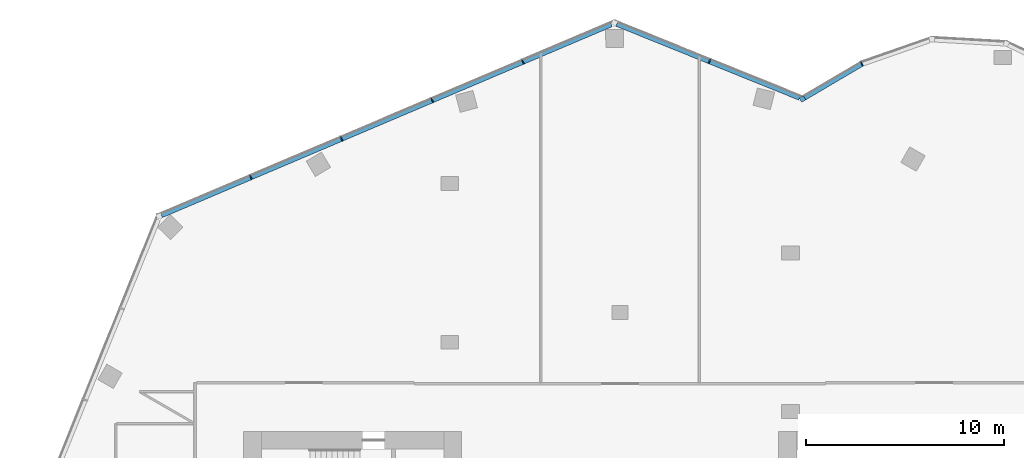
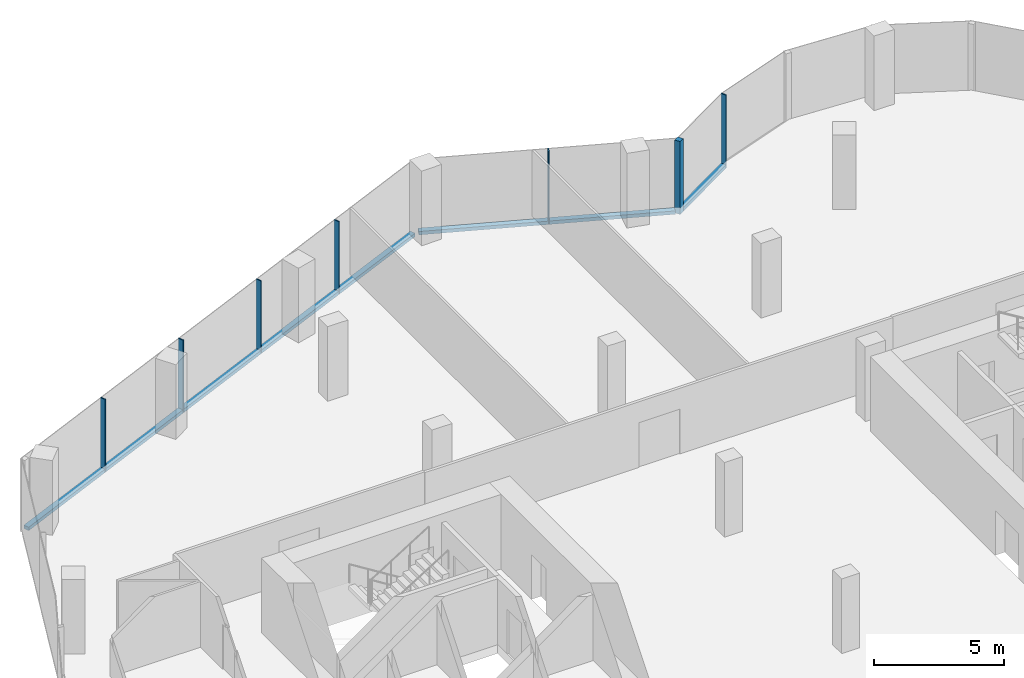
# One storey, part 8 of 16: 10 members, 4 elements without a shape of their own.
"""IFC4 building model written with IfcOpenShell, lengths in metres."""

from ifc_helpers import new_model, si_unit, direction, frame, origin, origin_2d, place, context, subcontext, project, spatial, rectangle, extrude, material, material_profile, profile_set, type_object, element, aggregate, save


model = new_model("IFC4")

# Units and contexts
model_context = context("Model", 3, precision=1e-05, world=origin(), true_north=direction((0.0, 1.0)))
body_context = subcontext(model_context, "Body", "Model", "MODEL_VIEW")
ifc_project = project(units=[si_unit("LENGTHUNIT", "METRE"), si_unit("AREAUNIT", "SQUARE_METRE"), si_unit("VOLUMEUNIT", "CUBIC_METRE"), si_unit("PLANEANGLEUNIT", "RADIAN"), si_unit("MASSUNIT", "GRAM", prefix="KILO")], contexts=[model_context])

# Site, building, storey
site_placement = place(None, origin())
site = spatial("IfcSite", under=ifc_project, at=site_placement, CompositionType="ELEMENT")
building_placement = place(site_placement, origin())
building = spatial("IfcBuilding", under=site, at=building_placement, Name="Orlundy Tower", CompositionType="ELEMENT")
storey_placement = place(building_placement, frame((0.0, 0.0, 292.89990234375)))
storey = spatial("IfcBuildingStorey", under=building, at=storey_placement, Name="L78", CompositionType="ELEMENT", Elevation=292.89990234375)

# Curtain wall, member
ifc_material_1 = material(Name="Aluminium bronze anodised", Category="aluminium")
curtain_wall_type = type_object("IfcCurtainWallType", Name="CW6 wall", PredefinedType="NOTDEFINED", material=ifc_material_1)
curtain_wall_1_placement = place(storey_placement, origin())
curtain_wall_1 = element("IfcCurtainWall", 1, at=curtain_wall_1_placement, inside=storey, type_object=curtain_wall_type, Name="CW6 run 018", PredefinedType="NOTDEFINED")
ifc_material_2 = material(Name="Aluminium bronze anodised", Category="aluminium")
ifc_material_profile_1 = material_profile(ifc_material_2, rectangle(XDim=0.239990234375, YDim=0.239990234375, at=origin_2d()), Name="CW6 corner post 240x240")
ifc_profile_set_1 = profile_set([ifc_material_profile_1], Name="Aluminium bronze anodised")
member_type_1 = type_object("IfcMemberType", Name="CW6 corner post 240x240", PredefinedType="MULLION", material=ifc_profile_set_1)
member_1_placement = place(storey_placement, frame((9.197998046875, 28.76953125, -0.31982421875), z_axis=(0.0, 0.0, 1.0), x_axis=(-0.507527218917, 0.861635724688, 0.0)))
member_1 = element("IfcMember", 2, at=member_1_placement, type_object=member_type_1, Name="CW6 mullion 37", PredefinedType="MULLION", context=body_context, shape_type="SweptSolid", body=[
    extrude(rectangle(XDim=0.239990234375, YDim=0.239990234375, at=origin_2d()), origin(), (0.0, 0.0, 1.0), 3.419921875),
])

# Curtain wall, members
curtain_wall_2_placement = place(storey_placement, origin())
curtain_wall_2 = element("IfcCurtainWall", 3, at=curtain_wall_2_placement, inside=storey, type_object=curtain_wall_type, Name="CW6 run 016", PredefinedType="NOTDEFINED")
ifc_material_3 = material(Name="Aluminium bronze anodised", Category="aluminium")
ifc_material_profile_2 = material_profile(ifc_material_3, rectangle(XDim=0.239990234375, YDim=0.050048828125, at=origin_2d()), Name="CW6 mullion 50x240")
ifc_profile_set_2 = profile_set([ifc_material_profile_2], Name="Aluminium bronze anodised")
member_type_2 = type_object("IfcMemberType", Name="CW6 mullion 50x240", PredefinedType="MULLION", material=ifc_profile_set_2)
member_2_placement = place(storey_placement, frame((-18.63232421875, 24.812744140625, -0.31982421875), z_axis=(0.0, 0.0, 1.0), x_axis=(-0.390726531244, 0.920506804854, 0.0)))
member_2 = element("IfcMember", 4, at=member_2_placement, type_object=member_type_2, Name="CW6 mullion 31", PredefinedType="MULLION", context=body_context, shape_type="SweptSolid", body=[
    extrude(rectangle(XDim=0.239990234375, YDim=0.050048828125, at=origin_2d()), origin(), (0.0, 0.0, 1.0), 3.419921875),
])
member_3_placement = place(storey_placement, frame((-14.056640625, 26.7548828125, -0.31982421875), z_axis=(0.0, 0.0, 1.0), x_axis=(-0.390726531244, 0.920506804854, 0.0)))
member_3 = element("IfcMember", 5, at=member_3_placement, type_object=member_type_2, Name="CW6 mullion 32", PredefinedType="MULLION", context=body_context, shape_type="SweptSolid", body=[
    extrude(rectangle(XDim=0.239990234375, YDim=0.050048828125, at=origin_2d()), origin(), (0.0, 0.0, 1.0), 3.419921875),
])
member_4_placement = place(storey_placement, frame((-9.481201171875, 28.697021484375, -0.31982421875), z_axis=(0.0, 0.0, 1.0), x_axis=(-0.390726531244, 0.920506804854, 0.0)))
member_4 = element("IfcMember", 6, at=member_4_placement, type_object=member_type_2, Name="CW6 mullion 33", PredefinedType="MULLION", context=body_context, shape_type="SweptSolid", body=[
    extrude(rectangle(XDim=0.239990234375, YDim=0.050048828125, at=origin_2d()), origin(), (0.0, 0.0, 1.0), 3.419921875),
])
member_5_placement = place(storey_placement, frame((-4.905517578125, 30.63916015625, -0.31982421875), z_axis=(0.0, 0.0, 1.0), x_axis=(-0.390726531244, 0.920506804854, 0.0)))
member_5 = element("IfcMember", 7, at=member_5_placement, type_object=member_type_2, Name="CW6 mullion 34", PredefinedType="MULLION", context=body_context, shape_type="SweptSolid", body=[
    extrude(rectangle(XDim=0.239990234375, YDim=0.050048828125, at=origin_2d()), origin(), (0.0, 0.0, 1.0), 3.419921875),
])

# Curtain wall, member
curtain_wall_3_placement = place(storey_placement, origin())
curtain_wall_3 = element("IfcCurtainWall", 8, at=curtain_wall_3_placement, inside=storey, type_object=curtain_wall_type, Name="CW6 run 017", PredefinedType="NOTDEFINED")
member_6_placement = place(storey_placement, frame((4.507568359375, 30.664794921875, -0.31982421875), z_axis=(0.0, 0.0, 1.0), x_axis=(0.374639101319, 0.927170719858, 0.0)))
member_6 = element("IfcMember", 9, at=member_6_placement, type_object=member_type_2, Name="CW6 mullion 36", PredefinedType="MULLION", context=body_context, shape_type="SweptSolid", body=[
    extrude(rectangle(XDim=0.239990234375, YDim=0.050048828125, at=origin_2d()), origin(), (0.0, 0.0, 1.0), 3.419921875),
])

curtain_wall_4_placement = place(storey_placement, origin())
curtain_wall_4 = element("IfcCurtainWall", 10, at=curtain_wall_4_placement, inside=storey, type_object=curtain_wall_type, Name="CW6 run 019", PredefinedType="NOTDEFINED")
member_7_placement = place(storey_placement, frame((12.201171875, 30.538330078125, -0.31982421875), z_axis=(0.0, 0.0, 1.0), x_axis=(-0.420645052981, 0.907225296937, 0.0)))
member_7 = element("IfcMember", 11, at=member_7_placement, type_object=member_type_2, Name="CW6 mullion 38", PredefinedType="MULLION", context=body_context, shape_type="SweptSolid", body=[
    extrude(rectangle(XDim=0.239990234375, YDim=0.050048828125, at=origin_2d()), origin(), (0.0, 0.0, 1.0), 3.419921875),
])
aggregate(curtain_wall_4, [member_7])

# Member
ifc_material_4 = material(Name="Aluminium bronze anodised", Category="aluminium")
ifc_material_profile_3 = material_profile(ifc_material_4, rectangle(XDim=0.239990234375, YDim=0.159912109375, at=origin_2d()), Name="CW6 transom 240x160")
ifc_profile_set_3 = profile_set([ifc_material_profile_3], Name="Aluminium bronze anodised")
member_type_3 = type_object("IfcMemberType", Name="CW6 transom 240x160", PredefinedType="USERDEFINED", material=ifc_profile_set_3)
member_8_placement = place(storey_placement, frame((-23.14306640625, 22.89794921875, -0.239990234375), z_axis=(0.920504544268, 0.390731856881, 0.0), x_axis=(-0.390731856881, 0.920504544268, 0.0)))
member_8 = element("IfcMember", 12, at=member_8_placement, type_object=member_type_3, Name="CW6 transom", ObjectType="TRANSOM", PredefinedType="USERDEFINED", context=body_context, shape_type="SweptSolid", body=[
    extrude(rectangle(XDim=0.239990234375, YDim=0.159912109375, at=origin_2d()), origin(), (0.0, 0.0, 1.0), 24.663330078125),
])

aggregate(curtain_wall_2, [member_2, member_3, member_4, member_5, member_8])

member_9_placement = place(storey_placement, frame((-0.1728515625, 32.555908203125, -0.239990234375), z_axis=(0.927173868199, -0.374631309595, 0.0), x_axis=(0.374631309595, 0.927173868199, 0.0)))
member_9 = element("IfcMember", 13, at=member_9_placement, type_object=member_type_3, Name="CW6 transom", ObjectType="TRANSOM", PredefinedType="USERDEFINED", context=body_context, shape_type="SweptSolid", body=[
    extrude(rectangle(XDim=0.239990234375, YDim=0.159912109375, at=origin_2d()), origin(), (0.0, 0.0, 1.0), 9.955810546875),
])

aggregate(curtain_wall_3, [member_6, member_9])

member_10_placement = place(storey_placement, frame((9.301513671875, 28.830322265625, -0.239990234375), z_axis=(0.861637205175, 0.507524705466, 0.0), x_axis=(-0.507524705466, 0.861637205175, 0.0)))
member_10 = element("IfcMember", 14, at=member_10_placement, type_object=member_type_3, Name="CW6 transom", ObjectType="TRANSOM", PredefinedType="USERDEFINED", context=body_context, shape_type="SweptSolid", body=[
    extrude(rectangle(XDim=0.239990234375, YDim=0.159912109375, at=origin_2d()), origin(), (0.0, 0.0, 1.0), 3.34033203125),
])

aggregate(curtain_wall_1, [member_1, member_10])

save(model, "model.ifc")
